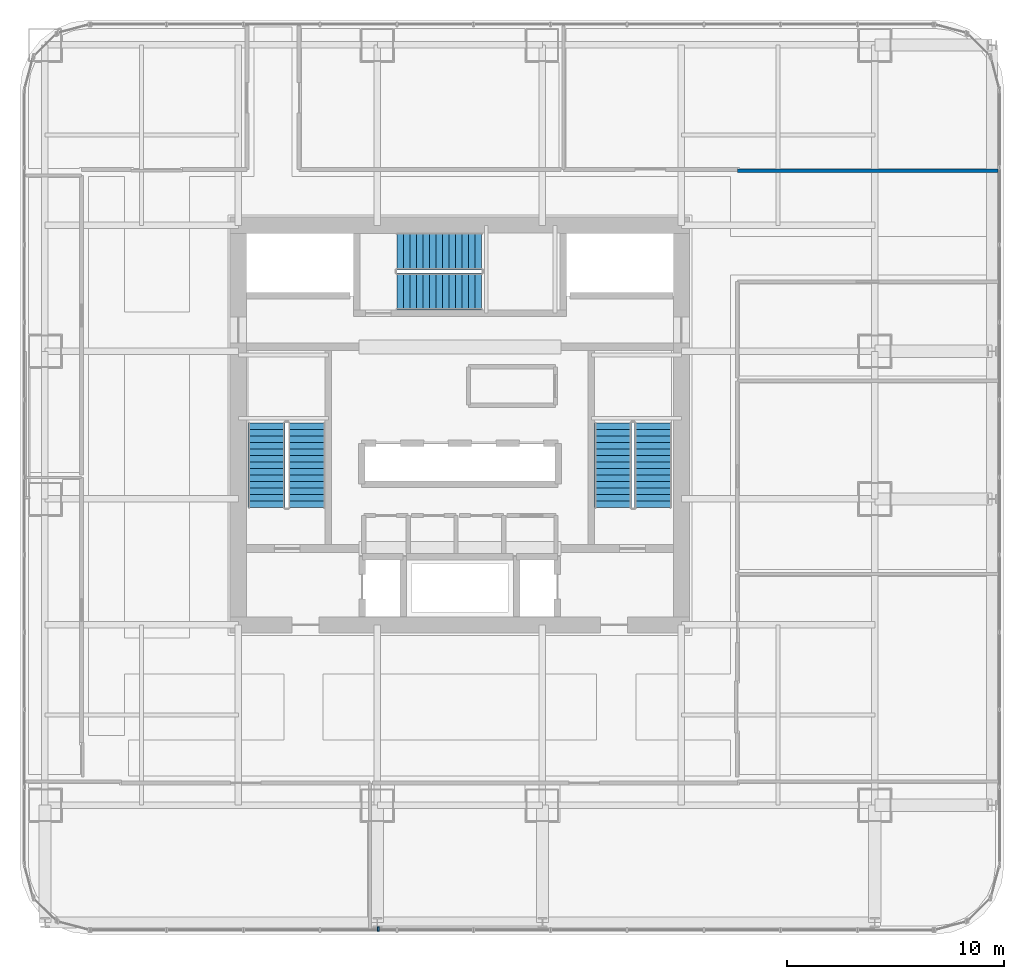
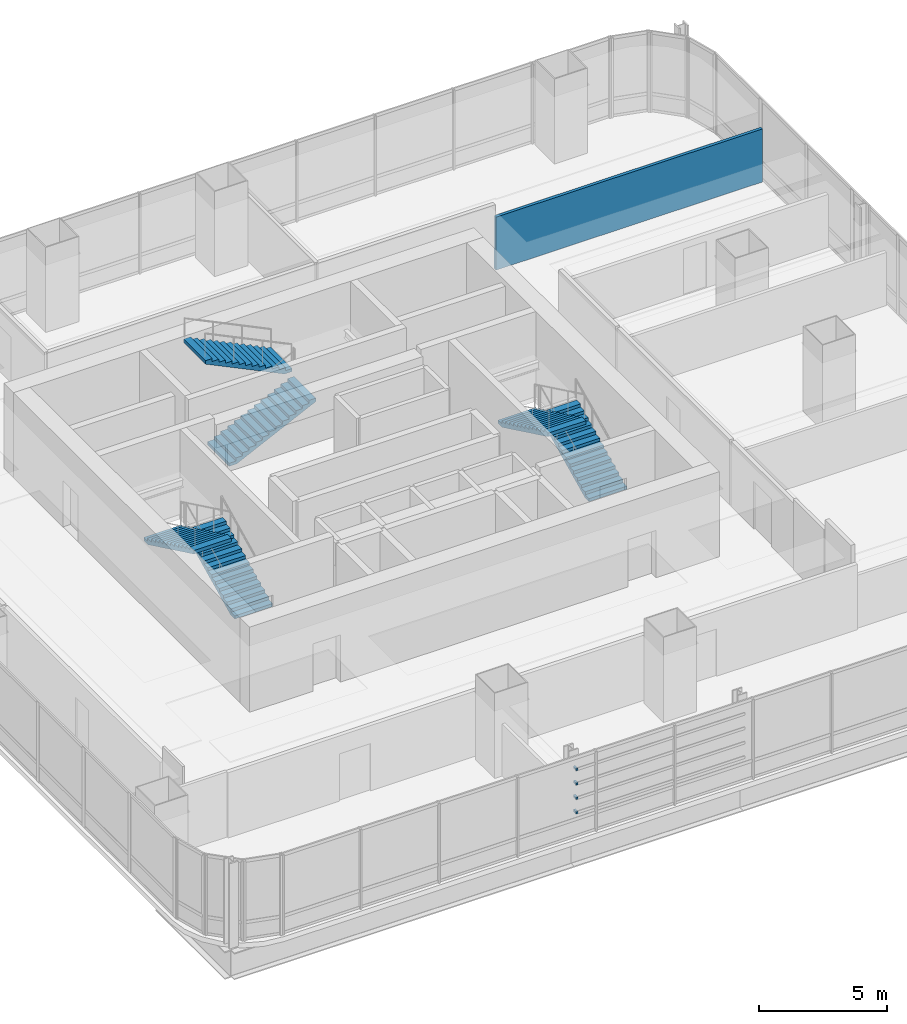
# One storey, part 29 of 35: 6 stair flights, 4 discrete accessories, 1 wall, 3 elements without a shape of their own.
"""IFC4 building model written with IfcOpenShell, lengths in metres."""

from ifc_helpers import new_model, si_unit, direction, frame, frame_2d, origin, origin_2d, place, context, subcontext, project, spatial, polyline, rectangle, outline, extrude, material, layer, layer_set, type_object, element, aggregate, save


model = new_model("IFC4")

# Units and contexts
model_context = context("Model", 3, precision=1e-05, world=origin(), true_north=direction((0.0, 1.0)))
body_context = subcontext(model_context, "Body", "Model", "MODEL_VIEW")
ifc_project = project(units=[si_unit("LENGTHUNIT", "METRE"), si_unit("AREAUNIT", "SQUARE_METRE"), si_unit("VOLUMEUNIT", "CUBIC_METRE"), si_unit("PLANEANGLEUNIT", "RADIAN"), si_unit("MASSUNIT", "GRAM", prefix="KILO")], contexts=[model_context])

# Site, building, storey
site_placement = place(None, origin())
site = spatial("IfcSite", under=ifc_project, at=site_placement, CompositionType="ELEMENT")
building_placement = place(site_placement, origin())
building = spatial("IfcBuilding", under=site, at=building_placement, Name="Punatoya Terracotta Tower", CompositionType="ELEMENT")
storey_placement = place(building_placement, frame((0.0, 0.0, 68.699951171875)))
storey = spatial("IfcBuildingStorey", under=building, at=storey_placement, Name="L15", CompositionType="ELEMENT", Elevation=68.699951171875)

# Wall
ifc_material_1 = material(Name="Acoustic Gypsum + Steel Stud", Category="steel")
ifc_layer = layer(ifc_material_1, 0.139892578125)
ifc_layer_set = layer_set([ifc_layer], Name="Acoustic Gypsum + Steel Stud")
wall_type = type_object("IfcWallType", Name="WL-OFF-140", PredefinedType="PARTITIONING", material=ifc_layer_set)
wall_placement = place(storey_placement, frame((24.77001953125, 11.7099609375, 0.0), z_axis=(0.0, 0.0, 1.0), x_axis=(-1.0, 0.0, 0.0)))
element("IfcWall", 1, at=wall_placement, inside=storey, type_object=wall_type, Name="L15 Open-Plan Symposium Colloquium Room Partition 37", PredefinedType="PARTITIONING", context=body_context, shape_type="SweptSolid", body=[
    extrude(rectangle(XDim=12.0, YDim=0.139892578125, at=frame_2d((6.0, 0.0))), origin(), (0.0, 0.0, 1.0), 2.524169921875),
])

# Stair, stair flights
ifc_material_2 = material(Name="Concrete C40/50", Category="concrete")
stair_type_1 = type_object("IfcStairType", Name="STR-CORE-1550", PredefinedType="HALF_TURN_STAIR", material=ifc_material_2)
stair_1_placement = place(storey_placement, origin())
stair_1 = element("IfcStair", 2, at=stair_1_placement, inside=storey, type_object=stair_type_1, Name="L15 Protected Core Exit Stair ST-1", PredefinedType="HALF_TURN_STAIR")
stair_flight_type_1 = type_object("IfcStairFlightType", Name="SFL-CORE-1550", PredefinedType="STRAIGHT", material=ifc_material_2)
stair_flight_1_placement = place(storey_placement, frame((-7.050048828125, -3.800048828125, 0.0), z_axis=(0.0, 0.0, 1.0), x_axis=(0.0, 1.0, 0.0)))
stair_flight_1 = element("IfcStairFlight", 3, at=stair_flight_1_placement, type_object=stair_flight_type_1, Name="ST-1 flight 1", NumberOfRisers=14, NumberOfTreads=13, PredefinedType="STRAIGHT", RiserHeight=0.144642857, TreadLength=0.3, context=body_context, shape_type="SweptSolid", body=[
    extrude(outline(polyline([(0.0, 0.0), (0.0, 0.14453125), (0.300048828125, 0.14453125), (0.300048828125, 0.289306640625), (0.60009765625, 0.289306640625), (0.60009765625, 0.433837890625), (0.89990234375, 0.433837890625), (0.89990234375, 0.57861328125), (1.199951171875, 0.57861328125), (1.199951171875, 0.72314453125), (1.5, 0.72314453125), (1.5, 0.867919921875), (1.800048828125, 0.867919921875), (1.800048828125, 1.012451171875), (2.10009765625, 1.012451171875), (2.10009765625, 1.1572265625), (2.39990234375, 1.1572265625), (2.39990234375, 1.3017578125), (2.699951171875, 1.3017578125), (2.699951171875, 1.446533203125), (3.0, 1.446533203125), (3.0, 1.591064453125), (3.300048828125, 1.591064453125), (3.300048828125, 1.735595703125), (3.60009765625, 1.735595703125), (3.60009765625, 1.88037109375), (3.89990234375, 1.88037109375), (3.89990234375, 2.02490234375), (3.89990234375, 1.7138671875), (0.34521484375, 0.0), (0.0, 0.0)])), frame((0.0, 0.85009765625, 0.0), z_axis=(0.0, -1.0, 0.0), x_axis=(1.0, 0.0, 0.0)), (0.0, 0.0, 1.0), 1.699951171875),
])
stair_flight_2_placement = place(storey_placement, frame((-8.89990234375, 0.10009765625, 2.025146484375), z_axis=(0.0, 0.0, 1.0), x_axis=(0.0, -1.0, 0.0)))
stair_flight_2 = element("IfcStairFlight", 4, at=stair_flight_2_placement, type_object=stair_flight_type_1, Name="ST-1 flight 2", NumberOfRisers=14, NumberOfTreads=13, PredefinedType="STRAIGHT", RiserHeight=0.144642857, TreadLength=0.3, context=body_context, shape_type="SweptSolid", body=[
    extrude(outline(polyline([(0.0, 0.0), (0.0, 0.14453125), (0.300048828125, 0.14453125), (0.300048828125, 0.289306640625), (0.60009765625, 0.289306640625), (0.60009765625, 0.433837890625), (0.89990234375, 0.433837890625), (0.89990234375, 0.57861328125), (1.199951171875, 0.57861328125), (1.199951171875, 0.72314453125), (1.5, 0.72314453125), (1.5, 0.867919921875), (1.800048828125, 0.867919921875), (1.800048828125, 1.012451171875), (2.10009765625, 1.012451171875), (2.10009765625, 1.1572265625), (2.39990234375, 1.1572265625), (2.39990234375, 1.3017578125), (2.699951171875, 1.3017578125), (2.699951171875, 1.446533203125), (3.0, 1.446533203125), (3.0, 1.591064453125), (3.300048828125, 1.591064453125), (3.300048828125, 1.735595703125), (3.60009765625, 1.735595703125), (3.60009765625, 1.88037109375), (3.89990234375, 1.88037109375), (3.89990234375, 2.02490234375), (3.89990234375, 1.7138671875), (0.34521484375, 0.0), (0.0, 0.0)])), frame((0.0, 0.85009765625, 0.0), z_axis=(0.0, -1.0, 0.0), x_axis=(1.0, 0.0, 0.0)), (0.0, 0.0, 1.0), 1.699951171875),
])
aggregate(stair_1, [stair_flight_1, stair_flight_2])

stair_type_2 = type_object("IfcStairType", Name="STR-LOB-1650", PredefinedType="HALF_TURN_STAIR", material=ifc_material_2)
stair_2_placement = place(storey_placement, origin())
stair_2 = element("IfcStair", 5, at=stair_2_placement, inside=storey, type_object=stair_type_2, Name="L15 Protected Core Exit Stair ST-2", PredefinedType="HALF_TURN_STAIR")
stair_flight_type_2 = type_object("IfcStairFlightType", Name="SFL-LOB-1650", PredefinedType="STRAIGHT", material=ifc_material_2)
stair_flight_3_placement = place(storey_placement, frame((8.89990234375, -3.800048828125, 0.0), z_axis=(0.0, 0.0, 1.0), x_axis=(0.0, 1.0, 0.0)))
stair_flight_3 = element("IfcStairFlight", 6, at=stair_flight_3_placement, type_object=stair_flight_type_2, Name="ST-2 flight 1", NumberOfRisers=14, NumberOfTreads=13, PredefinedType="STRAIGHT", RiserHeight=0.144642857, TreadLength=0.3, context=body_context, shape_type="SweptSolid", body=[
    extrude(outline(polyline([(0.0, 0.0), (0.0, 0.14453125), (0.300048828125, 0.14453125), (0.300048828125, 0.289306640625), (0.60009765625, 0.289306640625), (0.60009765625, 0.433837890625), (0.89990234375, 0.433837890625), (0.89990234375, 0.57861328125), (1.199951171875, 0.57861328125), (1.199951171875, 0.72314453125), (1.5, 0.72314453125), (1.5, 0.867919921875), (1.800048828125, 0.867919921875), (1.800048828125, 1.012451171875), (2.10009765625, 1.012451171875), (2.10009765625, 1.1572265625), (2.39990234375, 1.1572265625), (2.39990234375, 1.3017578125), (2.699951171875, 1.3017578125), (2.699951171875, 1.446533203125), (3.0, 1.446533203125), (3.0, 1.591064453125), (3.300048828125, 1.591064453125), (3.300048828125, 1.735595703125), (3.60009765625, 1.735595703125), (3.60009765625, 1.88037109375), (3.89990234375, 1.88037109375), (3.89990234375, 2.02490234375), (3.89990234375, 1.7138671875), (0.34521484375, 0.0), (0.0, 0.0)])), frame((0.0, 0.85009765625, 0.0), z_axis=(0.0, -1.0, 0.0), x_axis=(1.0, 0.0, 0.0)), (0.0, 0.0, 1.0), 1.699951171875),
])
stair_flight_4_placement = place(storey_placement, frame((7.050048828125, 0.10009765625, 2.025146484375), z_axis=(0.0, 0.0, 1.0), x_axis=(0.0, -1.0, 0.0)))
stair_flight_4 = element("IfcStairFlight", 7, at=stair_flight_4_placement, type_object=stair_flight_type_2, Name="ST-2 flight 2", NumberOfRisers=14, NumberOfTreads=13, PredefinedType="STRAIGHT", RiserHeight=0.144642857, TreadLength=0.3, context=body_context, shape_type="SweptSolid", body=[
    extrude(outline(polyline([(0.0, 0.0), (0.0, 0.14453125), (0.300048828125, 0.14453125), (0.300048828125, 0.289306640625), (0.60009765625, 0.289306640625), (0.60009765625, 0.433837890625), (0.89990234375, 0.433837890625), (0.89990234375, 0.57861328125), (1.199951171875, 0.57861328125), (1.199951171875, 0.72314453125), (1.5, 0.72314453125), (1.5, 0.867919921875), (1.800048828125, 0.867919921875), (1.800048828125, 1.012451171875), (2.10009765625, 1.012451171875), (2.10009765625, 1.1572265625), (2.39990234375, 1.1572265625), (2.39990234375, 1.3017578125), (2.699951171875, 1.3017578125), (2.699951171875, 1.446533203125), (3.0, 1.446533203125), (3.0, 1.591064453125), (3.300048828125, 1.591064453125), (3.300048828125, 1.735595703125), (3.60009765625, 1.735595703125), (3.60009765625, 1.88037109375), (3.89990234375, 1.88037109375), (3.89990234375, 2.02490234375), (3.89990234375, 1.7138671875), (0.34521484375, 0.0), (0.0, 0.0)])), frame((0.0, 0.85009765625, 0.0), z_axis=(0.0, -1.0, 0.0), x_axis=(1.0, 0.0, 0.0)), (0.0, 0.0, 1.0), 1.699951171875),
])
aggregate(stair_2, [stair_flight_3, stair_flight_4])

stair_type_3 = type_object("IfcStairType", Name="STR-TER-1450", PredefinedType="HALF_TURN_STAIR", material=ifc_material_2)
stair_3_placement = place(storey_placement, origin())
stair_3 = element("IfcStair", 8, at=stair_3_placement, inside=storey, type_object=stair_type_3, Name="L15 Protected Core Exit Stair ST-3", PredefinedType="HALF_TURN_STAIR")
stair_flight_type_3 = type_object("IfcStairFlightType", Name="SFL-TER-1450", PredefinedType="STRAIGHT", material=ifc_material_2)
stair_flight_5_placement = place(storey_placement, frame((-2.89990234375, 6.14990234375, 0.0), z_axis=(0.0, 0.0, 1.0), x_axis=(1.0, 0.0, 0.0)))
stair_flight_5 = element("IfcStairFlight", 9, at=stair_flight_5_placement, type_object=stair_flight_type_3, Name="ST-3 flight 1", NumberOfRisers=14, NumberOfTreads=13, PredefinedType="STRAIGHT", RiserHeight=0.144642857, TreadLength=0.3, context=body_context, shape_type="SweptSolid", body=[
    extrude(outline(polyline([(0.0, 0.0), (0.0, 0.14453125), (0.300048828125, 0.14453125), (0.300048828125, 0.289306640625), (0.60009765625, 0.289306640625), (0.60009765625, 0.433837890625), (0.89990234375, 0.433837890625), (0.89990234375, 0.57861328125), (1.199951171875, 0.57861328125), (1.199951171875, 0.72314453125), (1.5, 0.72314453125), (1.5, 0.867919921875), (1.800048828125, 0.867919921875), (1.800048828125, 1.012451171875), (2.10009765625, 1.012451171875), (2.10009765625, 1.1572265625), (2.39990234375, 1.1572265625), (2.39990234375, 1.3017578125), (2.699951171875, 1.3017578125), (2.699951171875, 1.446533203125), (3.0, 1.446533203125), (3.0, 1.591064453125), (3.300048828125, 1.591064453125), (3.300048828125, 1.735595703125), (3.60009765625, 1.735595703125), (3.60009765625, 1.88037109375), (3.89990234375, 1.88037109375), (3.89990234375, 2.02490234375), (3.89990234375, 1.7138671875), (0.34521484375, 0.0), (0.0, 0.0)])), frame((0.0, 0.85009765625, 0.0), z_axis=(0.0, -1.0, 0.0), x_axis=(1.0, 0.0, 0.0)), (0.0, 0.0, 1.0), 1.699951171875),
])
stair_flight_6_placement = place(storey_placement, frame((1.0, 8.0, 2.025146484375), z_axis=(0.0, 0.0, 1.0), x_axis=(-1.0, 0.0, 0.0)))
stair_flight_6 = element("IfcStairFlight", 10, at=stair_flight_6_placement, type_object=stair_flight_type_3, Name="ST-3 flight 2", NumberOfRisers=14, NumberOfTreads=13, PredefinedType="STRAIGHT", RiserHeight=0.144642857, TreadLength=0.3, context=body_context, shape_type="SweptSolid", body=[
    extrude(outline(polyline([(0.0, 0.0), (0.0, 0.14453125), (0.300048828125, 0.14453125), (0.300048828125, 0.289306640625), (0.60009765625, 0.289306640625), (0.60009765625, 0.433837890625), (0.89990234375, 0.433837890625), (0.89990234375, 0.57861328125), (1.199951171875, 0.57861328125), (1.199951171875, 0.72314453125), (1.5, 0.72314453125), (1.5, 0.867919921875), (1.800048828125, 0.867919921875), (1.800048828125, 1.012451171875), (2.10009765625, 1.012451171875), (2.10009765625, 1.1572265625), (2.39990234375, 1.1572265625), (2.39990234375, 1.3017578125), (2.699951171875, 1.3017578125), (2.699951171875, 1.446533203125), (3.0, 1.446533203125), (3.0, 1.591064453125), (3.300048828125, 1.591064453125), (3.300048828125, 1.735595703125), (3.60009765625, 1.735595703125), (3.60009765625, 1.88037109375), (3.89990234375, 1.88037109375), (3.89990234375, 2.02490234375), (3.89990234375, 1.7138671875), (0.34521484375, 0.0), (0.0, 0.0)])), frame((0.0, 0.85009765625, 0.0), z_axis=(0.0, -1.0, 0.0), x_axis=(1.0, 0.0, 0.0)), (0.0, 0.0, 1.0), 1.699951171875),
])
aggregate(stair_3, [stair_flight_5, stair_flight_6])

# Discrete accessories
ifc_material_3 = material(Name="Steel S355", Category="steel")
discrete_accessory_type = type_object("IfcDiscreteAccessoryType", Name="ACC-BRK-220", PredefinedType="BRACKET", material=ifc_material_3)
for number, where, z_axis, x_axis, name in (
    (11, (-3.75, -23.193115234375, 1.10009765625), (0.0, 0.0, 1.0), (1.0, 0.0, 0.0), "L15 Baguette Louvre Column Bracket BAG-L15-S-01"),
    (12, (-3.75, -23.193115234375, 1.78662109375), (0.0, 0.0, 1.0), (1.0, 0.0, 0.0), "L15 Baguette Louvre Column Bracket BAG-L15-S-02"),
    (13, (-3.75, -23.193115234375, 2.473388671875), (0.0, 0.0, 1.0), (1.0, 0.0, 0.0), "L15 Baguette Louvre Column Bracket BAG-L15-S-03"),
    (14, (-3.75, -23.193115234375, 3.159912109375), (0.0, 0.0, 1.0), (1.0, 0.0, 0.0), "L15 Baguette Louvre Column Bracket BAG-L15-S-04"),
):
    element("IfcDiscreteAccessory", number, at=place(storey_placement, frame(where, z_axis=z_axis, x_axis=x_axis)), inside=storey, type_object=discrete_accessory_type, Name=name, PredefinedType="BRACKET", context=body_context, shape_type="SweptSolid", body=[
        extrude(rectangle(XDim=0.090087890625, YDim=0.219970703125, at=origin_2d()), origin(), (0.0, 0.0, 1.0), 0.10009765625),
    ])

save(model, "model.ifc")
